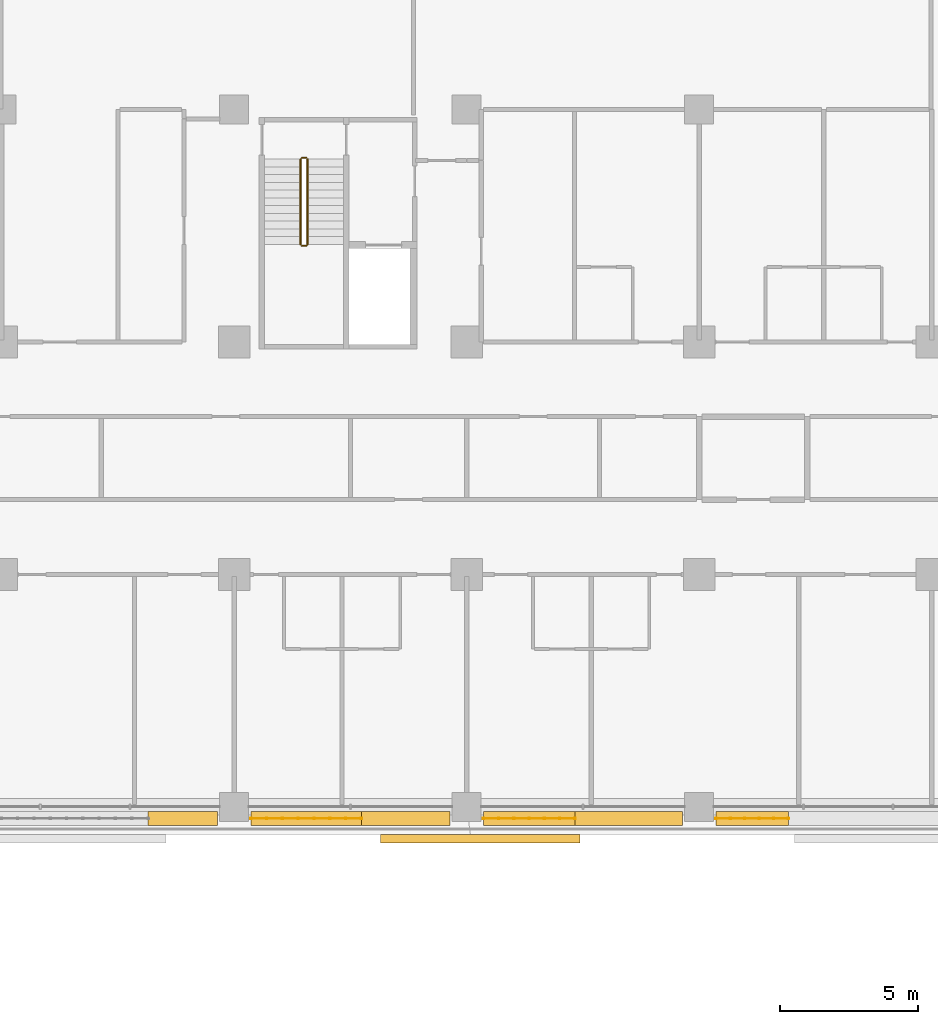
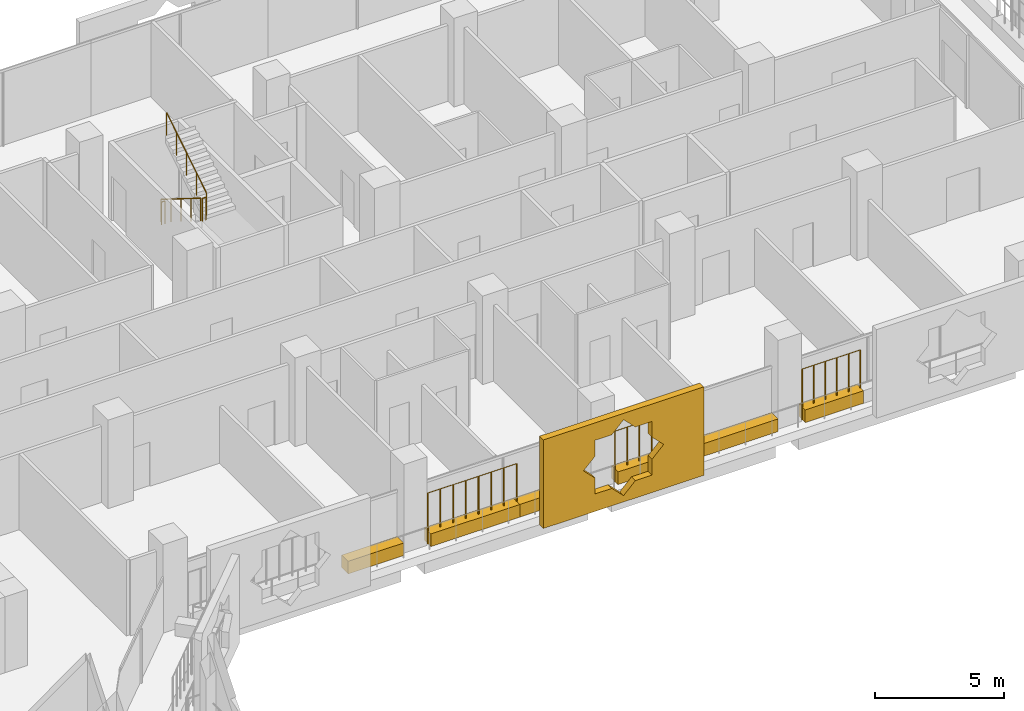
# One storey, part 23 of 25: 7 coverings, 7 railings.
"""IFC4 building model written with IfcOpenShell, lengths in metres."""

from ifc_helpers import new_model, si_unit, direction, frame, origin, origin_2d, place, context, subcontext, project, spatial, polyline, rectangle, circle, outline, extrude, material, material_profile, profile_set, type_object, element, save


model = new_model("IFC4")

# Units and contexts
model_context = context("Model", 3, precision=1e-05, world=origin(), true_north=direction((0.0, 1.0)))
body_context = subcontext(model_context, "Body", "Model", "MODEL_VIEW")
ifc_project = project(units=[si_unit("LENGTHUNIT", "METRE"), si_unit("AREAUNIT", "SQUARE_METRE"), si_unit("VOLUMEUNIT", "CUBIC_METRE"), si_unit("PLANEANGLEUNIT", "RADIAN"), si_unit("MASSUNIT", "GRAM", prefix="KILO")], contexts=[model_context])

# Site, building, storey
site_placement = place(None, origin())
site = spatial("IfcSite", under=ifc_project, at=site_placement, CompositionType="ELEMENT")
building_placement = place(site_placement, origin())
building = spatial("IfcBuilding", under=site, at=building_placement, Name="Kawkab Arch Medical Tower", CompositionType="ELEMENT")
storey_placement = place(building_placement, frame((0.0, 0.0, 124.0)))
storey = spatial("IfcBuildingStorey", under=building, at=storey_placement, Name="L28", CompositionType="ELEMENT", Elevation=124.0)

# Coverings
ifc_material_1 = material(Name="Bronze anodised aluminium mashrabiya panel, eight-point star pattern", Category="aluminium")
ifc_material_profile_1 = material_profile(ifc_material_1, outline(polyline([(-3.60009765625, -2.10009765625), (3.60009765625, -2.10009765625), (3.60009765625, 2.10009765625), (-3.60009765625, 2.10009765625), (-3.60009765625, -2.10009765625)]), holes=[polyline([(1.800048828125, 0.0), (1.272705078125, 0.527099609375), (1.272705078125, 1.272705078125), (0.527099609375, 1.272705078125), (0.0, 1.800048828125), (-0.527099609375, 1.272705078125), (-1.272705078125, 1.272705078125), (-1.272705078125, 0.527099609375), (-1.800048828125, 0.0), (-1.272705078125, -0.527099609375), (-1.272705078125, -1.272705078125), (-0.527099609375, -1.272705078125), (0.0, -1.800048828125), (0.527099609375, -1.272705078125), (1.272705078125, -1.272705078125), (1.272705078125, -0.527099609375), (1.800048828125, 0.0)])]), Name="Mashrabiya panel 7200x4200")
ifc_profile_set_1 = profile_set([ifc_material_profile_1], Name="Bronze anodised aluminium mashrabiya panel, eight-point star pattern")
covering_type_1 = type_object("IfcCoveringType", Name="Mashrabiya panel 7200 x 4200", PredefinedType="USERDEFINED", material=ifc_profile_set_1)
covering_1_placement = place(storey_placement, frame((50.892333984375, -26.199951171875, 1.699951171875), z_axis=(0.0, -1.0, 0.0), x_axis=(1.0, 0.0, 0.0)))
element("IfcCovering", 1, at=covering_1_placement, inside=storey, type_object=covering_type_1, Name="Mashrabiya panel L28.LOG-01-01.12", ObjectType="SCREEN", PredefinedType="USERDEFINED", context=body_context, shape_type="SweptSolid", body=[
    extrude(outline(polyline([(-3.60009765625, -2.10009765625), (3.60009765625, -2.10009765625), (3.60009765625, 2.10009765625), (-3.60009765625, 2.10009765625), (-3.60009765625, -2.10009765625)]), holes=[polyline([(1.800048828125, 0.0), (1.272705078125, 0.527099609375), (1.272705078125, 1.272705078125), (0.527099609375, 1.272705078125), (0.0, 1.800048828125), (-0.527099609375, 1.272705078125), (-1.272705078125, 1.272705078125), (-1.272705078125, 0.527099609375), (-1.800048828125, 0.0), (-1.272705078125, -0.527099609375), (-1.272705078125, -1.272705078125), (-0.527099609375, -1.272705078125), (0.0, -1.800048828125), (0.527099609375, -1.272705078125), (1.272705078125, -1.272705078125), (1.272705078125, -0.527099609375), (1.800048828125, 0.0)])]), origin(), (0.0, 0.0, 1.0), 0.300048828125),
])
ifc_material_2 = material(Name="Planting soil in a precast trough", Category="concrete")
ifc_material_profile_2 = material_profile(ifc_material_2, rectangle(XDim=0.5, YDim=0.60009765625, at=origin_2d()), Name="Trough 500x600")
ifc_profile_set_2 = profile_set([ifc_material_profile_2], Name="Planting soil in a precast trough")
covering_type_2 = type_object("IfcCoveringType", Name="Planter trough 500 x 600", PredefinedType="USERDEFINED", material=ifc_profile_set_2)
covering_2_placement = place(storey_placement, frame((62.01806640625, -25.6201171875, 0.300048828125), z_axis=(-1.0, 0.0, 0.0), x_axis=(0.0, -1.0, 0.0)))
element("IfcCovering", 2, at=covering_2_placement, inside=storey, type_object=covering_type_2, Name="Planter L28.LOG-01-01.35", ObjectType="PLANTER", PredefinedType="USERDEFINED", context=body_context, shape_type="SweptSolid", body=[
    extrude(rectangle(XDim=0.5, YDim=0.60009765625, at=origin_2d()), origin(), (0.0, 0.0, 1.0), 2.613037109375),
])
covering_3_placement = place(storey_placement, frame((58.195068359375, -25.6201171875, 0.300048828125), z_axis=(-1.0, 0.0, 0.0), x_axis=(0.0, -1.0, 0.0)))
element("IfcCovering", 3, at=covering_3_placement, inside=storey, type_object=covering_type_2, Name="Planter L28.LOG-01-01.36", ObjectType="PLANTER", PredefinedType="USERDEFINED", context=body_context, shape_type="SweptSolid", body=[
    extrude(rectangle(XDim=0.5, YDim=0.60009765625, at=origin_2d()), origin(), (0.0, 0.0, 1.0), 3.885986328125),
])
covering_4_placement = place(storey_placement, frame((54.30908203125, -25.6201171875, 0.300048828125), z_axis=(-1.0, 0.0, 0.0), x_axis=(0.0, -1.0, 0.0)))
element("IfcCovering", 4, at=covering_4_placement, inside=storey, type_object=covering_type_2, Name="Planter L28.LOG-01-01.37", ObjectType="PLANTER", PredefinedType="USERDEFINED", context=body_context, shape_type="SweptSolid", body=[
    extrude(rectangle(XDim=0.5, YDim=0.60009765625, at=origin_2d()), origin(), (0.0, 0.0, 1.0), 3.30419921875),
])
covering_5_placement = place(storey_placement, frame((49.794921875, -25.6201171875, 0.300048828125), z_axis=(-1.0, 0.0, 0.0), x_axis=(0.0, -1.0, 0.0)))
element("IfcCovering", 5, at=covering_5_placement, inside=storey, type_object=covering_type_2, Name="Planter L28.LOG-01-01.38", ObjectType="PLANTER", PredefinedType="USERDEFINED", context=body_context, shape_type="SweptSolid", body=[
    extrude(rectangle(XDim=0.5, YDim=0.60009765625, at=origin_2d()), origin(), (0.0, 0.0, 1.0), 3.19384765625),
])
covering_6_placement = place(storey_placement, frame((46.60107421875, -25.6201171875, 0.300048828125), z_axis=(-1.0, 0.0, 0.0), x_axis=(0.0, -1.0, 0.0)))
element("IfcCovering", 6, at=covering_6_placement, inside=storey, type_object=covering_type_2, Name="Planter L28.LOG-01-01.39", ObjectType="PLANTER", PredefinedType="USERDEFINED", context=body_context, shape_type="SweptSolid", body=[
    extrude(rectangle(XDim=0.5, YDim=0.60009765625, at=origin_2d()), origin(), (0.0, 0.0, 1.0), 3.99609375),
])
covering_7_placement = place(storey_placement, frame((41.39501953125, -25.6201171875, 0.300048828125), z_axis=(-1.0, 0.0, 0.0), x_axis=(0.0, -1.0, 0.0)))
element("IfcCovering", 7, at=covering_7_placement, inside=storey, type_object=covering_type_2, Name="Planter L28.LOG-01-01.40", ObjectType="PLANTER", PredefinedType="USERDEFINED", context=body_context, shape_type="SweptSolid", body=[
    extrude(rectangle(XDim=0.5, YDim=0.60009765625, at=origin_2d()), origin(), (0.0, 0.0, 1.0), 2.501953125),
])

# Railings
ifc_material_3 = material(Name="Bronze anodised aluminium trellis for climbing plants", Category="aluminium")
railing_type_1 = type_object("IfcRailingType", Name="Planting trellis 2400", PredefinedType="USERDEFINED", material=ifc_material_3)
railing_1_placement = place(storey_placement, frame((62.01806640625, -25.6201171875, 0.0)))
element("IfcRailing", 8, at=railing_1_placement, inside=storey, type_object=railing_type_1, Name="Planting trellis L28.LOG-01-01.35", ObjectType="TRELLIS", PredefinedType="USERDEFINED", context=body_context, shape_type="SweptSolid", body=[
    extrude(circle(Radius=0.01513671875, at=origin_2d()), frame((0.0, 0.0, 2.384765625), z_axis=(-1.0, 0.0, 0.0), x_axis=(0.0, -1.0, 0.0)), (0.0, 0.0, 1.0), 2.613037109375),
    extrude(circle(Radius=0.030029296875, at=origin_2d()), origin(), (0.0, 0.0, 1.0), 2.369873046875),
    extrude(circle(Radius=0.030029296875, at=origin_2d()), frame((-0.522705078125, 0.0, 0.0)), (0.0, 0.0, 1.0), 2.369873046875),
    extrude(circle(Radius=0.030029296875, at=origin_2d()), frame((-1.045166015625, 0.0, 0.0)), (0.0, 0.0, 1.0), 2.369873046875),
    extrude(circle(Radius=0.030029296875, at=origin_2d()), frame((-1.56787109375, 0.0, 0.0)), (0.0, 0.0, 1.0), 2.369873046875),
    extrude(circle(Radius=0.030029296875, at=origin_2d()), frame((-2.09033203125, 0.0, 0.0)), (0.0, 0.0, 1.0), 2.369873046875),
    extrude(circle(Radius=0.030029296875, at=origin_2d()), frame((-2.613037109375, 0.0, 0.0)), (0.0, 0.0, 1.0), 2.369873046875),
])
railing_2_placement = place(storey_placement, frame((54.30908203125, -25.6201171875, 0.0)))
element("IfcRailing", 9, at=railing_2_placement, inside=storey, type_object=railing_type_1, Name="Planting trellis L28.LOG-01-01.37", ObjectType="TRELLIS", PredefinedType="USERDEFINED", context=body_context, shape_type="SweptSolid", body=[
    extrude(circle(Radius=0.01513671875, at=origin_2d()), frame((0.0, 0.0, 2.384765625), z_axis=(-1.0, 0.0, 0.0), x_axis=(0.0, -1.0, 0.0)), (0.0, 0.0, 1.0), 3.30419921875),
    extrude(circle(Radius=0.030029296875, at=origin_2d()), origin(), (0.0, 0.0, 1.0), 2.369873046875),
    extrude(circle(Radius=0.030029296875, at=origin_2d()), frame((-0.55078125, 0.0, 0.0)), (0.0, 0.0, 1.0), 2.369873046875),
    extrude(circle(Radius=0.030029296875, at=origin_2d()), frame((-1.101318359375, 0.0, 0.0)), (0.0, 0.0, 1.0), 2.369873046875),
    extrude(circle(Radius=0.030029296875, at=origin_2d()), frame((-1.652099609375, 0.0, 0.0)), (0.0, 0.0, 1.0), 2.369873046875),
    extrude(circle(Radius=0.030029296875, at=origin_2d()), frame((-2.202880859375, 0.0, 0.0)), (0.0, 0.0, 1.0), 2.369873046875),
    extrude(circle(Radius=0.030029296875, at=origin_2d()), frame((-2.75341796875, 0.0, 0.0)), (0.0, 0.0, 1.0), 2.369873046875),
    extrude(circle(Radius=0.030029296875, at=origin_2d()), frame((-3.30419921875, 0.0, 0.0)), (0.0, 0.0, 1.0), 2.369873046875),
])
railing_3_placement = place(storey_placement, frame((46.60107421875, -25.6201171875, 0.0)))
element("IfcRailing", 10, at=railing_3_placement, inside=storey, type_object=railing_type_1, Name="Planting trellis L28.LOG-01-01.39", ObjectType="TRELLIS", PredefinedType="USERDEFINED", context=body_context, shape_type="SweptSolid", body=[
    extrude(circle(Radius=0.01513671875, at=origin_2d()), frame((0.0, 0.0, 2.384765625), z_axis=(-1.0, 0.0, 0.0), x_axis=(0.0, -1.0, 0.0)), (0.0, 0.0, 1.0), 3.99609375),
    extrude(circle(Radius=0.030029296875, at=origin_2d()), origin(), (0.0, 0.0, 1.0), 2.369873046875),
    extrude(circle(Radius=0.030029296875, at=origin_2d()), frame((-0.57080078125, 0.0, 0.0)), (0.0, 0.0, 1.0), 2.369873046875),
    extrude(circle(Radius=0.030029296875, at=origin_2d()), frame((-1.141845703125, 0.0, 0.0)), (0.0, 0.0, 1.0), 2.369873046875),
    extrude(circle(Radius=0.030029296875, at=origin_2d()), frame((-1.712646484375, 0.0, 0.0)), (0.0, 0.0, 1.0), 2.369873046875),
    extrude(circle(Radius=0.030029296875, at=origin_2d()), frame((-2.283447265625, 0.0, 0.0)), (0.0, 0.0, 1.0), 2.369873046875),
    extrude(circle(Radius=0.030029296875, at=origin_2d()), frame((-2.854248046875, 0.0, 0.0)), (0.0, 0.0, 1.0), 2.369873046875),
    extrude(circle(Radius=0.030029296875, at=origin_2d()), frame((-3.42529296875, 0.0, 0.0)), (0.0, 0.0, 1.0), 2.369873046875),
    extrude(circle(Radius=0.030029296875, at=origin_2d()), frame((-3.99609375, 0.0, 0.0)), (0.0, 0.0, 1.0), 2.369873046875),
])
ifc_material_4 = material(Name="Stainless steel", Category="steel")
railing_type_2 = type_object("IfcRailingType", Name="Stair guard 1100", PredefinedType="GUARDRAIL", material=ifc_material_4)
railing_4_placement = place(storey_placement, frame((44.39990234375, -1.800048828125, 0.175048828125)))
element("IfcRailing", 11, at=railing_4_placement, inside=storey, type_object=railing_type_2, Name="L28 ST5 stair guard 1", PredefinedType="GUARDRAIL", context=body_context, shape_type="SweptSolid", body=[
    extrude(circle(Radius=0.02392578125, at=origin_2d()), frame((0.0, 0.0, 1.076171875), z_axis=(0.0, -0.847979421464, 0.530029150871), x_axis=(1.0, 0.0, 0.0)), (0.0, 0.0, 1.0), 3.632080078125),
    extrude(circle(Radius=0.02099609375, at=origin_2d()), origin(), (0.0, 0.0, 1.0), 1.052001953125),
    extrude(circle(Radius=0.02099609375, at=origin_2d()), frame((0.0, -0.77001953125, 0.481201171875)), (0.0, 0.0, 1.0), 1.052001953125),
    extrude(circle(Radius=0.02099609375, at=origin_2d()), frame((0.0, -1.5400390625, 0.96240234375)), (0.0, 0.0, 1.0), 1.052001953125),
    extrude(circle(Radius=0.02099609375, at=origin_2d()), frame((0.0, -2.309814453125, 1.44384765625)), (0.0, 0.0, 1.0), 1.052001953125),
    extrude(circle(Radius=0.02099609375, at=origin_2d()), frame((0.0, -3.079833984375, 1.925048828125)), (0.0, 0.0, 1.0), 1.052001953125),
])
railing_5_placement = place(storey_placement, frame((44.449951171875, -4.929931640625, 2.10009765625)))
element("IfcRailing", 12, at=railing_5_placement, inside=storey, type_object=railing_type_2, Name="L28 ST5 stair guard 2", PredefinedType="GUARDRAIL", context=body_context, shape_type="SweptSolid", body=[
    extrude(circle(Radius=0.02392578125, at=origin_2d()), frame((0.0, 0.0, 1.076171875), z_axis=(1.0, 0.0, 0.0), x_axis=(0.0, 1.0, 0.0)), (0.0, 0.0, 1.0), 0.150146484375),
    extrude(circle(Radius=0.02099609375, at=origin_2d()), origin(), (0.0, 0.0, 1.0), 1.052001953125),
    extrude(circle(Radius=0.02099609375, at=origin_2d()), frame((0.150146484375, 0.0, 0.0)), (0.0, 0.0, 1.0), 1.052001953125),
])
railing_6_placement = place(storey_placement, frame((44.64990234375, -4.8798828125, 2.27490234375)))
element("IfcRailing", 13, at=railing_6_placement, inside=storey, type_object=railing_type_2, Name="L28 ST5 stair guard 3", PredefinedType="GUARDRAIL", context=body_context, shape_type="SweptSolid", body=[
    extrude(circle(Radius=0.02392578125, at=origin_2d()), frame((0.0, 0.0, 1.076171875), z_axis=(0.0, 0.847979421464, 0.530029150871), x_axis=(-1.0, 0.0, 0.0)), (0.0, 0.0, 1.0), 3.632080078125),
    extrude(circle(Radius=0.02099609375, at=origin_2d()), origin(), (0.0, 0.0, 1.0), 1.052001953125),
    extrude(circle(Radius=0.02099609375, at=origin_2d()), frame((0.0, 0.77001953125, 0.481201171875)), (0.0, 0.0, 1.0), 1.052001953125),
    extrude(circle(Radius=0.02099609375, at=origin_2d()), frame((0.0, 1.5400390625, 0.96240234375)), (0.0, 0.0, 1.0), 1.052001953125),
    extrude(circle(Radius=0.02099609375, at=origin_2d()), frame((0.0, 2.309814453125, 1.44384765625)), (0.0, 0.0, 1.0), 1.052001953125),
    extrude(circle(Radius=0.02099609375, at=origin_2d()), frame((0.0, 3.079833984375, 1.925048828125)), (0.0, 0.0, 1.0), 1.052001953125),
])
railing_7_placement = place(storey_placement, frame((44.449951171875, -1.75, 0.0)))
element("IfcRailing", 14, at=railing_7_placement, inside=storey, type_object=railing_type_2, Name="L28 ST5 stair guard 4", PredefinedType="GUARDRAIL", context=body_context, shape_type="SweptSolid", body=[
    extrude(circle(Radius=0.02392578125, at=origin_2d()), frame((0.0, 0.0, 1.076171875), z_axis=(1.0, 0.0, 0.0), x_axis=(0.0, 1.0, 0.0)), (0.0, 0.0, 1.0), 0.150146484375),
    extrude(circle(Radius=0.02099609375, at=origin_2d()), origin(), (0.0, 0.0, 1.0), 1.052001953125),
    extrude(circle(Radius=0.02099609375, at=origin_2d()), frame((0.150146484375, 0.0, 0.0)), (0.0, 0.0, 1.0), 1.052001953125),
])

save(model, "model.ifc")
